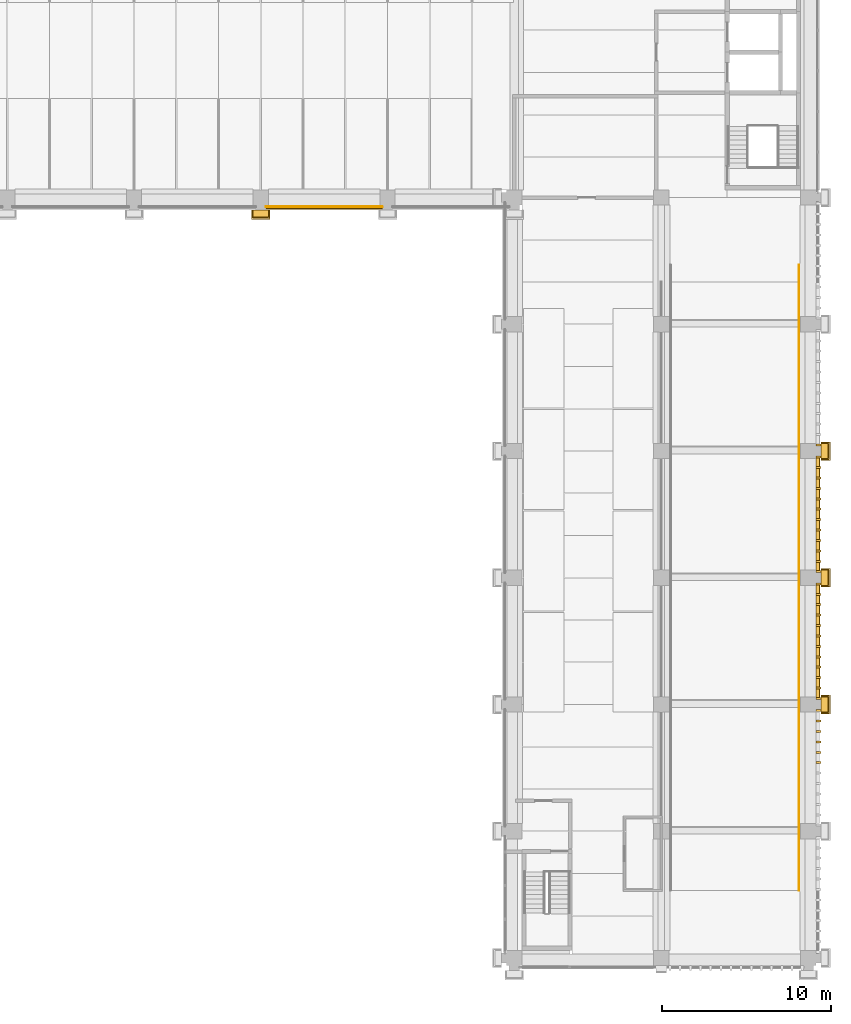
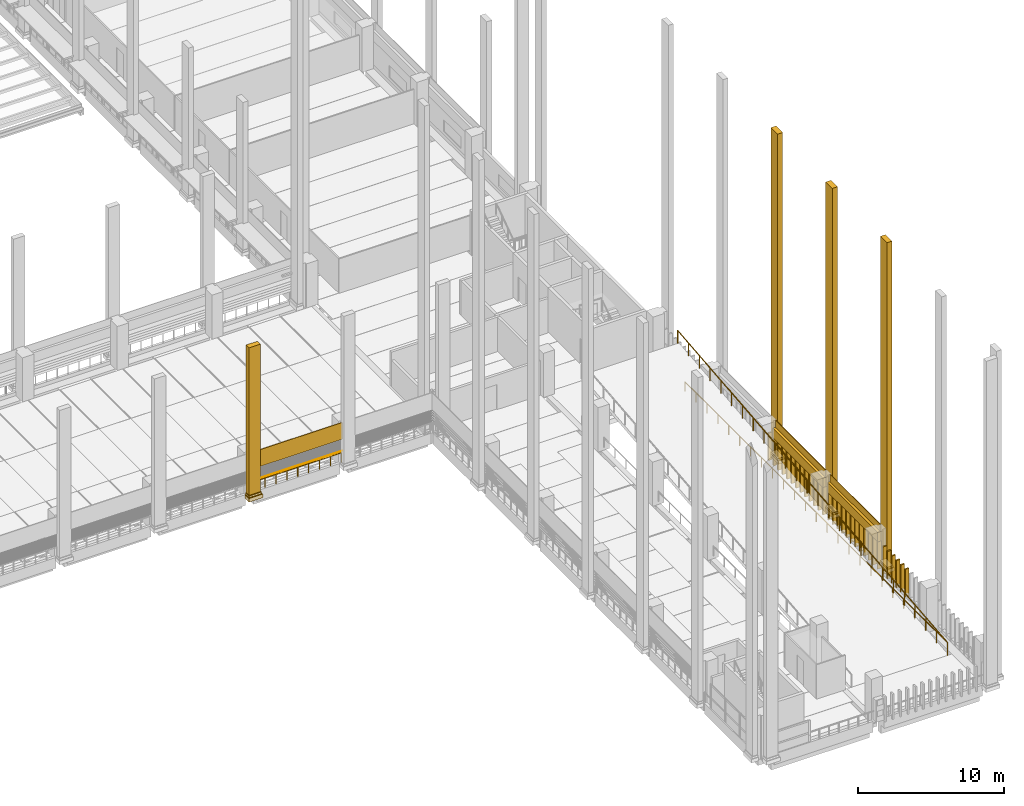
# One storey, part 58 of 67: 46 coverings, 3 railings, 1 shading device.
"""IFC4 building model written with IfcOpenShell, lengths in metres."""

import ifcopenshell
import ifcopenshell.guid

model = None  # the IFC model being written
_history = None  # IfcOwnerHistory: only IFC2X3 demands one
_inside = {}  # id of a spatial element -> (the spatial element, [elements in it])
_under = {}  # id of a project, library or spatial element -> (it, [spatial elements below it])
_declared = {}  # id of a project -> (the project, [libraries it declares])
_typed = {}  # id of a type object -> (the type object, [elements of that type])
_made_of = {}  # id of a material, layer set ... -> (it, [elements and type objects made of it])


def new_model(schema):
    """Start an empty IFC model of exactly this schema.

    Asked for "IFC4X3", IfcOpenShell would pick the latest addendum, in which some entities
    have other attributes; the version numbers below select the first issue.
    IFC2X3 requires an IfcOwnerHistory on every rooted entity: one is made here for all.
    """
    global model, _history
    if schema == "IFC4X3":
        model = ifcopenshell.file(schema_version=(4, 3, 0, 0))
    else:
        model = ifcopenshell.file(schema=schema)
    _inside.clear()
    _under.clear()
    _declared.clear()
    _typed.clear()
    _made_of.clear()
    _history = None
    if model.schema == "IFC2X3":
        org = make("IfcOrganization", Name="unknown")
        user = make(
            "IfcPersonAndOrganization",
            ThePerson=make("IfcPerson", FamilyName="unknown"),
            TheOrganization=org,
        )
        app = make(
            "IfcApplication",
            ApplicationDeveloper=org,
            Version="unknown",
            ApplicationFullName="unknown",
            ApplicationIdentifier="unknown",
        )
        _history = make(
            "IfcOwnerHistory",
            OwningUser=user,
            OwningApplication=app,
            ChangeAction="ADDED",
            CreationDate=0,
        )
    return model


def make(cls, **values):
    """One entity of the class cls with the attributes given. An attribute that is None is left unset."""
    return model.create_entity(
        cls, **{name: value for name, value in values.items() if value is not None}
    )


def rooted(cls, **values):
    """An entity with a GlobalId (a new one), such as an element, a storey or a relation."""
    return make(cls, GlobalId=ifcopenshell.guid.new(), OwnerHistory=_history, **values)


def si_unit(unit_type, name, prefix=None):
    """IfcSIUnit, for example si_unit("LENGTHUNIT", "METRE", prefix="MILLI")."""
    return make("IfcSIUnit", UnitType=unit_type, Prefix=prefix, Name=name)


def assignment(units):
    """IfcUnitAssignment: the units of a project."""
    return None if units is None else make("IfcUnitAssignment", Units=units)


def point(xyz):
    """IfcCartesianPoint."""
    return None if xyz is None else make("IfcCartesianPoint", Coordinates=xyz)


def direction(xyz):
    """IfcDirection."""
    return None if xyz is None else make("IfcDirection", DirectionRatios=xyz)


def frame(location, z_axis=None, x_axis=None):
    """IfcAxis2Placement3D, a coordinate frame: its origin and axes. An axis left out is left unset."""
    return make(
        "IfcAxis2Placement3D",
        Location=point(location),
        Axis=direction(z_axis),
        RefDirection=direction(x_axis),
    )


def frame_2d(location, x_axis=None):
    """IfcAxis2Placement2D, a coordinate frame in the plane: its origin and x axis."""
    return make(
        "IfcAxis2Placement2D", Location=point(location), RefDirection=direction(x_axis)
    )


def origin():
    """The frame at (0, 0, 0) with its axes left unset."""
    return frame((0.0, 0.0, 0.0))


def origin_2d():
    """The frame at (0, 0) in the plane with its x axis left unset."""
    return frame_2d((0.0, 0.0))


def place(relative_to, where):
    """IfcLocalPlacement: puts the frame where relative to a parent placement (None: the world)."""
    return make(
        "IfcLocalPlacement", PlacementRelTo=relative_to, RelativePlacement=where
    )


def context(
    kind, dimensions, precision=None, world=None, true_north=None, identifier=None
):
    """IfcGeometricRepresentationContext, for example the 3D "Model" context."""
    return make(
        "IfcGeometricRepresentationContext",
        ContextIdentifier=identifier,
        ContextType=kind,
        CoordinateSpaceDimension=dimensions,
        Precision=precision,
        WorldCoordinateSystem=world,
        TrueNorth=true_north,
    )


def subcontext(parent, identifier, kind, view, scale=None):
    """IfcGeometricRepresentationSubContext, for example "Body" below "Model"."""
    return make(
        "IfcGeometricRepresentationSubContext",
        ContextIdentifier=identifier,
        ContextType=kind,
        ParentContext=parent,
        TargetScale=scale,
        TargetView=view,
    )


def project(units=None, contexts=None):
    """IfcProject with its units and contexts."""
    return rooted(
        "IfcProject",
        Name="project",
        RepresentationContexts=contexts,
        UnitsInContext=assignment(units),
    )


def spatial(cls, under=None, at=None, **own):
    """A site, building, storey or space (cls), placed at a placement, below another one or the project."""
    s = rooted(cls, ObjectPlacement=at, **own)
    if under is not None:
        _under.setdefault(under.id(), (under, []))[1].append(s)
    return s


def polyline(points):
    """IfcPolyline through the points."""
    return make("IfcPolyline", Points=[point(p) for p in points])


def profile(cls, at=None, kind="AREA", **sizes):
    """A parametric profile (cls). Its sizes go by their IFC names, for example OverallWidth=200.0."""
    return make(cls, ProfileType=kind, Position=at, **sizes)


def circle(**sizes):
    """IfcCircleProfileDef."""
    return profile("IfcCircleProfileDef", **sizes)


def outline(outer, holes=None, kind="AREA"):
    """IfcArbitraryClosedProfileDef: a profile drawn as a closed curve; with holes, ...WithVoids."""
    if holes is None:
        return make("IfcArbitraryClosedProfileDef", ProfileType=kind, OuterCurve=outer)
    return make(
        "IfcArbitraryProfileDefWithVoids",
        ProfileType=kind,
        OuterCurve=outer,
        InnerCurves=holes,
    )


def extrude(swept, where, along, depth):
    """IfcExtrudedAreaSolid: the profile swept, set in the frame where, extruded along a direction by depth."""
    return make(
        "IfcExtrudedAreaSolid",
        SweptArea=swept,
        Position=where,
        ExtrudedDirection=direction(along),
        Depth=depth,
    )


def shape(context_of_items, identifier, shape_type, items):
    """IfcShapeRepresentation: the items that make up one representation, for example the "Body"."""
    return make(
        "IfcShapeRepresentation",
        ContextOfItems=context_of_items,
        RepresentationIdentifier=identifier,
        RepresentationType=shape_type,
        Items=items,
    )


def material(Name=None, Category=None):
    """IfcMaterial."""
    return make("IfcMaterial", Name=Name, Category=Category)


def layer(
    of_material, thickness, ventilated=None, Name=None, Category=None, Priority=None
):
    """IfcMaterialLayer: one layer of a wall or slab, of a material (None: an air gap)."""
    return make(
        "IfcMaterialLayer",
        Material=of_material,
        LayerThickness=thickness,
        IsVentilated=ventilated,
        Name=Name,
        Category=Category,
        Priority=Priority,
    )


def layer_set(layers, Name=None):
    """IfcMaterialLayerSet."""
    return make("IfcMaterialLayerSet", MaterialLayers=layers, LayerSetName=Name)


def made_of(thing, what):
    """Note that an element or type object is made of a material, layer set ...; save() writes the relation."""
    if what is not None:
        _made_of.setdefault(what.id(), (what, []))[1].append(thing)
    return thing


def type_object(cls, material=None, **own):
    """A type object (cls), such as IfcWallType, which elements share."""
    return made_of(rooted(cls, **own), material)


def element(
    cls,
    number,
    at=None,
    inside=None,
    cuts=None,
    type_object=None,
    material=None,
    context=None,
    identifier="Body",
    shape_type=None,
    held_by="IfcProductDefinitionShape",
    body=None,
    shapes=None,
    **own,
):
    """One element of the class cls, such as IfcWall. Its Tag is "e" and its number.

    at: its placement. inside: the storey or other place that contains it. cuts: it is an
    opening in that element (IfcRelVoidsElement). A single representation is given by context,
    identifier, shape_type and body (its items); several are given by shapes. held_by: the class
    of the entity that holds the representations. save() writes the other relations.
    """
    e = rooted(cls, Tag="e%d" % number, ObjectPlacement=at, **own)
    if body is not None:
        shapes = [shape(context, identifier, shape_type, body)]
    if shapes is not None:
        e.Representation = make(held_by, Representations=shapes)
    if inside is not None:
        _inside.setdefault(inside.id(), (inside, []))[1].append(e)
    if cuts is not None:
        rooted(
            "IfcRelVoidsElement", RelatingBuildingElement=cuts, RelatedOpeningElement=e
        )
    if type_object is not None:
        _typed.setdefault(type_object.id(), (type_object, []))[1].append(e)
    return made_of(e, material)


def aggregate(whole, parts):
    """IfcRelAggregates: a whole, such as a stair, and the parts it consists of."""
    return rooted("IfcRelAggregates", RelatingObject=whole, RelatedObjects=parts)


def save(model, path):
    """Write the relations noted so far, then the file.

    IfcRelAggregates (storeys below a building ...), IfcRelContainedInSpatialStructure (elements
    in a storey), IfcRelDefinesByType, IfcRelAssociatesMaterial and IfcRelDeclares: one each for
    every whole, place, type object, material and project.
    """
    for whole, parts in _under.values():
        aggregate(whole, parts)
    for where, things in _inside.values():
        rooted(
            "IfcRelContainedInSpatialStructure",
            RelatedElements=things,
            RelatingStructure=where,
        )
    for kind, things in _typed.values():
        rooted("IfcRelDefinesByType", RelatedObjects=things, RelatingType=kind)
    for what, things in _made_of.values():
        rooted("IfcRelAssociatesMaterial", RelatedObjects=things, RelatingMaterial=what)
    for by, libraries in _declared.values():
        rooted("IfcRelDeclares", RelatingContext=by, RelatedDefinitions=libraries)
    model.write(path)


model = new_model("IFC4")

# Units and contexts
model_context = context("Model", 3, precision=1e-05, world=origin(), true_north=direction((0.0, 1.0)))
body_context = subcontext(model_context, "Body", "Model", "MODEL_VIEW")
ifc_project = project(units=[si_unit("LENGTHUNIT", "METRE"), si_unit("AREAUNIT", "SQUARE_METRE"), si_unit("VOLUMEUNIT", "CUBIC_METRE"), si_unit("PLANEANGLEUNIT", "RADIAN"), si_unit("MASSUNIT", "GRAM", prefix="KILO")], contexts=[model_context])

# Site, building, storey
site_placement = place(None, origin())
site = spatial("IfcSite", under=ifc_project, at=site_placement, CompositionType="ELEMENT")
building_placement = place(site_placement, origin())
building = spatial("IfcBuilding", under=site, at=building_placement, Name="Cour d'Honneur Mobility Palace", CompositionType="ELEMENT")
storey_placement = place(building_placement, frame((0.0, 0.0, 4.5)))
storey = spatial("IfcBuildingStorey", under=building, at=storey_placement, Name="L01", CompositionType="ELEMENT", Elevation=4.5)

# Railing
ifc_material_1 = material(Name="Painted steel", Category="steel")
railing_type_1 = type_object("IfcRailingType", Name="Balustrade", PredefinedType="BALUSTRADE", material=ifc_material_1)
railing_1_placement = place(storey_placement, frame((130.199951171875, 44.449951171875, 0.300048828125)))
element("IfcRailing", 1, at=railing_1_placement, inside=storey, type_object=railing_type_1, Name="Balustrade BAL-21", PredefinedType="BALUSTRADE", context=body_context, shape_type="SweptSolid", body=[
    extrude(circle(Radius=0.02392578125, at=origin_2d()), frame((0.0, 0.0, 0.77587890625), z_axis=(1.0, 0.0, 0.0), x_axis=(0.0, 1.0, 0.0)), (0.0, 0.0, 1.0), 6.900146484375),
    extrude(circle(Radius=0.02099609375, at=origin_2d()), origin(), (0.0, 0.0, 1.0), 0.751953125),
    extrude(circle(Radius=0.02099609375, at=origin_2d()), frame((0.862548828125, 0.0, 0.0)), (0.0, 0.0, 1.0), 0.751953125),
    extrude(circle(Radius=0.02099609375, at=origin_2d()), frame((1.72509765625, 0.0, 0.0)), (0.0, 0.0, 1.0), 0.751953125),
    extrude(circle(Radius=0.02099609375, at=origin_2d()), frame((2.587646484375, 0.0, 0.0)), (0.0, 0.0, 1.0), 0.751953125),
    extrude(circle(Radius=0.02099609375, at=origin_2d()), frame((3.4501953125, 0.0, 0.0)), (0.0, 0.0, 1.0), 0.751953125),
    extrude(circle(Radius=0.02099609375, at=origin_2d()), frame((4.3125, 0.0, 0.0)), (0.0, 0.0, 1.0), 0.751953125),
    extrude(circle(Radius=0.02099609375, at=origin_2d()), frame((5.175048828125, 0.0, 0.0)), (0.0, 0.0, 1.0), 0.751953125),
    extrude(circle(Radius=0.02099609375, at=origin_2d()), frame((6.03759765625, 0.0, 0.0)), (0.0, 0.0, 1.0), 0.751953125),
    extrude(circle(Radius=0.02099609375, at=origin_2d()), frame((6.900146484375, 0.0, 0.0)), (0.0, 0.0, 1.0), 0.751953125),
])

# Coverings
ifc_material_2 = material(Name="Cast limestone", Category="masonry")
ifc_layer_1 = layer(ifc_material_2, 0.14990234375)
ifc_layer_set_1 = layer_set([ifc_layer_1], Name="Cast limestone")
covering_type_1 = type_object("IfcCoveringType", Name="Pilaster base", PredefinedType="CLADDING", material=ifc_layer_set_1)
covering_1_placement = place(storey_placement, frame((0.0, 0.0, 0.10009765625)))
element("IfcCovering", 2, at=covering_1_placement, inside=storey, type_object=covering_type_1, Name="Pilaster base PB-49", PredefinedType="CLADDING", context=body_context, shape_type="SweptSolid", body=[
    extrude(outline(polyline([(129.35009765625, 44.25), (130.449951171875, 44.25), (130.449951171875, 43.699951171875), (129.35009765625, 43.699951171875), (129.35009765625, 44.25)])), origin(), (0.0, 0.0, 1.0), 0.2998046875),
])
covering_2_placement = place(storey_placement, frame((0.0, 0.0, 0.39990234375)))
element("IfcCovering", 3, at=covering_2_placement, inside=storey, type_object=covering_type_1, Name="Pilaster base PB-50", PredefinedType="CLADDING", context=body_context, shape_type="SweptSolid", body=[
    extrude(outline(polyline([(129.39990234375, 44.25), (130.39990234375, 44.25), (130.39990234375, 43.780029296875), (129.39990234375, 43.780029296875), (129.39990234375, 44.25)])), origin(), (0.0, 0.0, 1.0), 0.150146484375),
])
covering_3_placement = place(storey_placement, frame((0.0, 0.0, 0.10009765625)))
element("IfcCovering", 4, at=covering_3_placement, inside=storey, type_object=covering_type_1, Name="Pilaster base PB-77", PredefinedType="CLADDING", context=body_context, shape_type="SweptSolid", body=[
    extrude(outline(polyline([(163.050048828125, 14.449951171875), (163.050048828125, 15.550048828125), (163.60009765625, 15.550048828125), (163.60009765625, 14.449951171875), (163.050048828125, 14.449951171875)])), origin(), (0.0, 0.0, 1.0), 0.2998046875),
])
covering_4_placement = place(storey_placement, frame((0.0, 0.0, 0.39990234375)))
element("IfcCovering", 5, at=covering_4_placement, inside=storey, type_object=covering_type_1, Name="Pilaster base PB-78", PredefinedType="CLADDING", context=body_context, shape_type="SweptSolid", body=[
    extrude(outline(polyline([(163.050048828125, 14.5), (163.050048828125, 15.5), (163.52001953125, 15.5), (163.52001953125, 14.5), (163.050048828125, 14.5)])), origin(), (0.0, 0.0, 1.0), 0.150146484375),
])
covering_5_placement = place(storey_placement, frame((0.0, 0.0, 0.10009765625)))
element("IfcCovering", 6, at=covering_5_placement, inside=storey, type_object=covering_type_1, Name="Pilaster base PB-79", PredefinedType="CLADDING", context=body_context, shape_type="SweptSolid", body=[
    extrude(outline(polyline([(163.050048828125, 21.949951171875), (163.050048828125, 23.050048828125), (163.60009765625, 23.050048828125), (163.60009765625, 21.949951171875), (163.050048828125, 21.949951171875)])), origin(), (0.0, 0.0, 1.0), 0.2998046875),
])
covering_6_placement = place(storey_placement, frame((0.0, 0.0, 0.39990234375)))
element("IfcCovering", 7, at=covering_6_placement, inside=storey, type_object=covering_type_1, Name="Pilaster base PB-80", PredefinedType="CLADDING", context=body_context, shape_type="SweptSolid", body=[
    extrude(outline(polyline([(163.050048828125, 22.0), (163.050048828125, 23.0), (163.52001953125, 23.0), (163.52001953125, 22.0), (163.050048828125, 22.0)])), origin(), (0.0, 0.0, 1.0), 0.150146484375),
])
covering_7_placement = place(storey_placement, frame((0.0, 0.0, 0.10009765625)))
element("IfcCovering", 8, at=covering_7_placement, inside=storey, type_object=covering_type_1, Name="Pilaster base PB-81", PredefinedType="CLADDING", context=body_context, shape_type="SweptSolid", body=[
    extrude(outline(polyline([(163.050048828125, 29.449951171875), (163.050048828125, 30.550048828125), (163.60009765625, 30.550048828125), (163.60009765625, 29.449951171875), (163.050048828125, 29.449951171875)])), origin(), (0.0, 0.0, 1.0), 0.2998046875),
])
covering_8_placement = place(storey_placement, frame((0.0, 0.0, 0.39990234375)))
element("IfcCovering", 9, at=covering_8_placement, inside=storey, type_object=covering_type_1, Name="Pilaster base PB-82", PredefinedType="CLADDING", context=body_context, shape_type="SweptSolid", body=[
    extrude(outline(polyline([(163.050048828125, 29.5), (163.050048828125, 30.5), (163.52001953125, 30.5), (163.52001953125, 29.5), (163.050048828125, 29.5)])), origin(), (0.0, 0.0, 1.0), 0.150146484375),
])
ifc_material_3 = material(Name="Cast limestone", Category="masonry")
ifc_layer_2 = layer(ifc_material_3, 0.39990234375)
ifc_layer_set_2 = layer_set([ifc_layer_2], Name="Cast limestone")
covering_type_2 = type_object("IfcCoveringType", Name="Pilaster shaft", PredefinedType="CLADDING", material=ifc_layer_set_2)
covering_9_placement = place(storey_placement, frame((0.0, 0.0, 0.550048828125)))
element("IfcCovering", 10, at=covering_9_placement, inside=storey, type_object=covering_type_2, Name="Pilaster shaft PS-25", PredefinedType="CLADDING", context=body_context, shape_type="SweptSolid", body=[
    extrude(outline(polyline([(129.449951171875, 44.25), (130.35009765625, 44.25), (130.35009765625, 43.85009765625), (129.449951171875, 43.85009765625), (129.449951171875, 44.25)])), origin(), (0.0, 0.0, 1.0), 12.349853515625),
])
covering_10_placement = place(storey_placement, frame((0.0, 0.0, 0.550048828125)))
element("IfcCovering", 11, at=covering_10_placement, inside=storey, type_object=covering_type_2, Name="Pilaster shaft PS-39", PredefinedType="CLADDING", context=body_context, shape_type="SweptSolid", body=[
    extrude(outline(polyline([(163.050048828125, 14.550048828125), (163.050048828125, 15.449951171875), (163.449951171875, 15.449951171875), (163.449951171875, 14.550048828125), (163.050048828125, 14.550048828125)])), origin(), (0.0, 0.0, 1.0), 27.14990234375),
])
covering_11_placement = place(storey_placement, frame((0.0, 0.0, 0.550048828125)))
element("IfcCovering", 12, at=covering_11_placement, inside=storey, type_object=covering_type_2, Name="Pilaster shaft PS-40", PredefinedType="CLADDING", context=body_context, shape_type="SweptSolid", body=[
    extrude(outline(polyline([(163.050048828125, 22.050048828125), (163.050048828125, 22.949951171875), (163.449951171875, 22.949951171875), (163.449951171875, 22.050048828125), (163.050048828125, 22.050048828125)])), origin(), (0.0, 0.0, 1.0), 27.14990234375),
])
covering_12_placement = place(storey_placement, frame((0.0, 0.0, 0.550048828125)))
element("IfcCovering", 13, at=covering_12_placement, inside=storey, type_object=covering_type_2, Name="Pilaster shaft PS-41", PredefinedType="CLADDING", context=body_context, shape_type="SweptSolid", body=[
    extrude(outline(polyline([(163.050048828125, 29.550048828125), (163.050048828125, 30.449951171875), (163.449951171875, 30.449951171875), (163.449951171875, 29.550048828125), (163.050048828125, 29.550048828125)])), origin(), (0.0, 0.0, 1.0), 27.14990234375),
])

# Railing
ifc_material_4 = material(Name="Painted steel", Category="steel")
railing_type_2 = type_object("IfcRailingType", Name="Ramp guard 1100", PredefinedType="GUARDRAIL", material=ifc_material_4)
railing_2_placement = place(storey_placement, frame((161.75, 4.0, 0.0)))
element("IfcRailing", 14, at=railing_2_placement, inside=storey, type_object=railing_type_2, Name="Ramp guard Ramp East 2", PredefinedType="GUARDRAIL", context=body_context, shape_type="SweptSolid", body=[
    extrude(circle(Radius=0.02490234375, at=origin_2d()), frame((0.0, 0.0, 1.0751953125), z_axis=(0.0, 0.995037320222, 0.099502418892), x_axis=(-1.0, 0.0, 0.0)), (0.0, 0.0, 1.0), 37.1845703125),
    extrude(circle(Radius=0.02099609375, at=origin_2d()), origin(), (0.0, 0.0, 1.0), 1.050048828125),
    extrude(circle(Radius=0.02099609375, at=origin_2d()), frame((0.0, 1.47998046875, 0.14794921875)), (0.0, 0.0, 1.0), 1.050048828125),
    extrude(circle(Radius=0.02099609375, at=origin_2d()), frame((0.0, 2.9599609375, 0.2958984375)), (0.0, 0.0, 1.0), 1.050048828125),
    extrude(circle(Radius=0.02099609375, at=origin_2d()), frame((0.0, 4.43994140625, 0.444091796875)), (0.0, 0.0, 1.0), 1.050048828125),
    extrude(circle(Radius=0.02099609375, at=origin_2d()), frame((0.0, 5.919921875, 0.592041015625)), (0.0, 0.0, 1.0), 1.050048828125),
    extrude(circle(Radius=0.02099609375, at=origin_2d()), frame((0.0, 7.39990234375, 0.739990234375)), (0.0, 0.0, 1.0), 1.050048828125),
    extrude(circle(Radius=0.02099609375, at=origin_2d()), frame((0.0, 8.8798828125, 0.887939453125)), (0.0, 0.0, 1.0), 1.050048828125),
    extrude(circle(Radius=0.02099609375, at=origin_2d()), frame((0.0, 10.360107421875, 1.035888671875)), (0.0, 0.0, 1.0), 1.050048828125),
    extrude(circle(Radius=0.02099609375, at=origin_2d()), frame((0.0, 11.840087890625, 1.18408203125)), (0.0, 0.0, 1.0), 1.050048828125),
    extrude(circle(Radius=0.02099609375, at=origin_2d()), frame((0.0, 13.320068359375, 1.33203125)), (0.0, 0.0, 1.0), 1.050048828125),
    extrude(circle(Radius=0.02099609375, at=origin_2d()), frame((0.0, 14.800048828125, 1.47998046875)), (0.0, 0.0, 1.0), 1.050048828125),
    extrude(circle(Radius=0.02099609375, at=origin_2d()), frame((0.0, 16.280029296875, 1.6279296875)), (0.0, 0.0, 1.0), 1.050048828125),
    extrude(circle(Radius=0.02099609375, at=origin_2d()), frame((0.0, 17.760009765625, 1.77587890625)), (0.0, 0.0, 1.0), 1.050048828125),
    extrude(circle(Radius=0.02099609375, at=origin_2d()), frame((0.0, 19.239990234375, 1.924072265625)), (0.0, 0.0, 1.0), 1.050048828125),
    extrude(circle(Radius=0.02099609375, at=origin_2d()), frame((0.0, 20.719970703125, 2.072021484375)), (0.0, 0.0, 1.0), 1.050048828125),
    extrude(circle(Radius=0.02099609375, at=origin_2d()), frame((0.0, 22.199951171875, 2.219970703125)), (0.0, 0.0, 1.0), 1.050048828125),
    extrude(circle(Radius=0.02099609375, at=origin_2d()), frame((0.0, 23.679931640625, 2.367919921875)), (0.0, 0.0, 1.0), 1.050048828125),
    extrude(circle(Radius=0.02099609375, at=origin_2d()), frame((0.0, 25.159912109375, 2.515869140625)), (0.0, 0.0, 1.0), 1.050048828125),
    extrude(circle(Radius=0.02099609375, at=origin_2d()), frame((0.0, 26.639892578125, 2.6640625)), (0.0, 0.0, 1.0), 1.050048828125),
    extrude(circle(Radius=0.02099609375, at=origin_2d()), frame((0.0, 28.1201171875, 2.81201171875)), (0.0, 0.0, 1.0), 1.050048828125),
    extrude(circle(Radius=0.02099609375, at=origin_2d()), frame((0.0, 29.60009765625, 2.9599609375)), (0.0, 0.0, 1.0), 1.050048828125),
    extrude(circle(Radius=0.02099609375, at=origin_2d()), frame((0.0, 31.080078125, 3.10791015625)), (0.0, 0.0, 1.0), 1.050048828125),
    extrude(circle(Radius=0.02099609375, at=origin_2d()), frame((0.0, 32.56005859375, 3.255859375)), (0.0, 0.0, 1.0), 1.050048828125),
    extrude(circle(Radius=0.02099609375, at=origin_2d()), frame((0.0, 34.0400390625, 3.404052734375)), (0.0, 0.0, 1.0), 1.050048828125),
    extrude(circle(Radius=0.02099609375, at=origin_2d()), frame((0.0, 35.52001953125, 3.552001953125)), (0.0, 0.0, 1.0), 1.050048828125),
    extrude(circle(Radius=0.02099609375, at=origin_2d()), frame((0.0, 37.0, 3.699951171875)), (0.0, 0.0, 1.0), 1.050048828125),
])

# Coverings
ifc_material_5 = material(Name="Cast limestone", Category="masonry")
ifc_layer_3 = layer(ifc_material_5, 0.1201171875)
ifc_layer_set_3 = layer_set([ifc_layer_3], Name="Cast limestone")
covering_type_3 = type_object("IfcCoveringType", Name="Ramp screen fin", PredefinedType="CLADDING", material=ifc_layer_set_3)
covering_13_placement = place(storey_placement, origin())
element("IfcCovering", 15, at=covering_13_placement, inside=storey, type_object=covering_type_3, Name="Ramp screen fin E5.1 L01 7", PredefinedType="CLADDING", context=body_context, shape_type="SweptSolid", body=[
    extrude(outline(polyline([(162.75, 11.498291015625), (162.75, 11.6181640625), (163.050048828125, 11.6181640625), (163.050048828125, 11.498291015625), (162.75, 11.498291015625)])), origin(), (0.0, 0.0, 1.0), 2.300048828125),
])
covering_14_placement = place(storey_placement, origin())
element("IfcCovering", 16, at=covering_14_placement, inside=storey, type_object=covering_type_3, Name="Ramp screen fin E5.1 L01 8", PredefinedType="CLADDING", context=body_context, shape_type="SweptSolid", body=[
    extrude(outline(polyline([(162.75, 12.114501953125), (162.75, 12.234619140625), (163.050048828125, 12.234619140625), (163.050048828125, 12.114501953125), (162.75, 12.114501953125)])), origin(), (0.0, 0.0, 1.0), 2.300048828125),
])
covering_15_placement = place(storey_placement, origin())
element("IfcCovering", 17, at=covering_15_placement, inside=storey, type_object=covering_type_3, Name="Ramp screen fin E5.1 L01 9", PredefinedType="CLADDING", context=body_context, shape_type="SweptSolid", body=[
    extrude(outline(polyline([(162.75, 12.73095703125), (162.75, 12.850830078125), (163.050048828125, 12.850830078125), (163.050048828125, 12.73095703125), (162.75, 12.73095703125)])), origin(), (0.0, 0.0, 1.0), 2.300048828125),
])
covering_16_placement = place(storey_placement, origin())
element("IfcCovering", 18, at=covering_16_placement, inside=storey, type_object=covering_type_3, Name="Ramp screen fin E5.1 L01 10", PredefinedType="CLADDING", context=body_context, shape_type="SweptSolid", body=[
    extrude(outline(polyline([(162.75, 13.34716796875), (162.75, 13.46728515625), (163.050048828125, 13.46728515625), (163.050048828125, 13.34716796875), (162.75, 13.34716796875)])), origin(), (0.0, 0.0, 1.0), 2.300048828125),
])
covering_17_placement = place(storey_placement, origin())
element("IfcCovering", 19, at=covering_17_placement, inside=storey, type_object=covering_type_3, Name="Ramp screen fin E5.1 L01 11", PredefinedType="CLADDING", context=body_context, shape_type="SweptSolid", body=[
    extrude(outline(polyline([(162.75, 13.963623046875), (162.75, 14.083740234375), (163.050048828125, 14.083740234375), (163.050048828125, 13.963623046875), (162.75, 13.963623046875)])), origin(), (0.0, 0.0, 1.0), 2.300048828125),
])
covering_18_placement = place(storey_placement, origin())
element("IfcCovering", 20, at=covering_18_placement, inside=storey, type_object=covering_type_3, Name="Ramp screen fin E5.1 L01 12", PredefinedType="CLADDING", context=body_context, shape_type="SweptSolid", body=[
    extrude(outline(polyline([(162.75, 14.580078125), (162.75, 14.699951171875), (163.050048828125, 14.699951171875), (163.050048828125, 14.580078125), (162.75, 14.580078125)])), origin(), (0.0, 0.0, 1.0), 2.300048828125),
])
covering_19_placement = place(storey_placement, origin())
element("IfcCovering", 21, at=covering_19_placement, inside=storey, type_object=covering_type_3, Name="Ramp screen fin E5.2 L01 1", PredefinedType="CLADDING", context=body_context, shape_type="SweptSolid", body=[
    extrude(outline(polyline([(162.75, 15.300048828125), (162.75, 15.419921875), (163.050048828125, 15.419921875), (163.050048828125, 15.300048828125), (162.75, 15.300048828125)])), origin(), (0.0, 0.0, 1.0), 2.300048828125),
])
covering_20_placement = place(storey_placement, origin())
element("IfcCovering", 22, at=covering_20_placement, inside=storey, type_object=covering_type_3, Name="Ramp screen fin E5.2 L01 2", PredefinedType="CLADDING", context=body_context, shape_type="SweptSolid", body=[
    extrude(outline(polyline([(162.75, 15.916259765625), (162.75, 16.036376953125), (163.050048828125, 16.036376953125), (163.050048828125, 15.916259765625), (162.75, 15.916259765625)])), origin(), (0.0, 0.0, 1.0), 2.300048828125),
])
covering_21_placement = place(storey_placement, origin())
element("IfcCovering", 23, at=covering_21_placement, inside=storey, type_object=covering_type_3, Name="Ramp screen fin E5.2 L01 3", PredefinedType="CLADDING", context=body_context, shape_type="SweptSolid", body=[
    extrude(outline(polyline([(162.75, 16.53271484375), (162.75, 16.65283203125), (163.050048828125, 16.65283203125), (163.050048828125, 16.53271484375), (162.75, 16.53271484375)])), origin(), (0.0, 0.0, 1.0), 2.300048828125),
])
covering_22_placement = place(storey_placement, origin())
element("IfcCovering", 24, at=covering_22_placement, inside=storey, type_object=covering_type_3, Name="Ramp screen fin E5.2 L01 4", PredefinedType="CLADDING", context=body_context, shape_type="SweptSolid", body=[
    extrude(outline(polyline([(162.75, 17.149169921875), (162.75, 17.26904296875), (163.050048828125, 17.26904296875), (163.050048828125, 17.149169921875), (162.75, 17.149169921875)])), origin(), (0.0, 0.0, 1.0), 2.300048828125),
])
covering_23_placement = place(storey_placement, origin())
element("IfcCovering", 25, at=covering_23_placement, inside=storey, type_object=covering_type_3, Name="Ramp screen fin E5.2 L01 5", PredefinedType="CLADDING", context=body_context, shape_type="SweptSolid", body=[
    extrude(outline(polyline([(162.75, 17.765380859375), (162.75, 17.885498046875), (163.050048828125, 17.885498046875), (163.050048828125, 17.765380859375), (162.75, 17.765380859375)])), origin(), (0.0, 0.0, 1.0), 2.300048828125),
])
covering_24_placement = place(storey_placement, origin())
element("IfcCovering", 26, at=covering_24_placement, inside=storey, type_object=covering_type_3, Name="Ramp screen fin E5.2 L01 6", PredefinedType="CLADDING", context=body_context, shape_type="SweptSolid", body=[
    extrude(outline(polyline([(162.75, 18.3818359375), (162.75, 18.501708984375), (163.050048828125, 18.501708984375), (163.050048828125, 18.3818359375), (162.75, 18.3818359375)])), origin(), (0.0, 0.0, 1.0), 2.300048828125),
])
covering_25_placement = place(storey_placement, origin())
element("IfcCovering", 27, at=covering_25_placement, inside=storey, type_object=covering_type_3, Name="Ramp screen fin E5.2 L01 7", PredefinedType="CLADDING", context=body_context, shape_type="SweptSolid", body=[
    extrude(outline(polyline([(162.75, 18.998291015625), (162.75, 19.1181640625), (163.050048828125, 19.1181640625), (163.050048828125, 18.998291015625), (162.75, 18.998291015625)])), origin(), (0.0, 0.0, 1.0), 2.300048828125),
])
covering_26_placement = place(storey_placement, origin())
element("IfcCovering", 28, at=covering_26_placement, inside=storey, type_object=covering_type_3, Name="Ramp screen fin E5.2 L01 8", PredefinedType="CLADDING", context=body_context, shape_type="SweptSolid", body=[
    extrude(outline(polyline([(162.75, 19.614501953125), (162.75, 19.734619140625), (163.050048828125, 19.734619140625), (163.050048828125, 19.614501953125), (162.75, 19.614501953125)])), origin(), (0.0, 0.0, 1.0), 2.300048828125),
])
covering_27_placement = place(storey_placement, origin())
element("IfcCovering", 29, at=covering_27_placement, inside=storey, type_object=covering_type_3, Name="Ramp screen fin E5.2 L01 9", PredefinedType="CLADDING", context=body_context, shape_type="SweptSolid", body=[
    extrude(outline(polyline([(162.75, 20.23095703125), (162.75, 20.350830078125), (163.050048828125, 20.350830078125), (163.050048828125, 20.23095703125), (162.75, 20.23095703125)])), origin(), (0.0, 0.0, 1.0), 2.300048828125),
])
covering_28_placement = place(storey_placement, origin())
element("IfcCovering", 30, at=covering_28_placement, inside=storey, type_object=covering_type_3, Name="Ramp screen fin E5.2 L01 10", PredefinedType="CLADDING", context=body_context, shape_type="SweptSolid", body=[
    extrude(outline(polyline([(162.75, 20.84716796875), (162.75, 20.96728515625), (163.050048828125, 20.96728515625), (163.050048828125, 20.84716796875), (162.75, 20.84716796875)])), origin(), (0.0, 0.0, 1.0), 2.300048828125),
])
covering_29_placement = place(storey_placement, origin())
element("IfcCovering", 31, at=covering_29_placement, inside=storey, type_object=covering_type_3, Name="Ramp screen fin E5.2 L01 11", PredefinedType="CLADDING", context=body_context, shape_type="SweptSolid", body=[
    extrude(outline(polyline([(162.75, 21.463623046875), (162.75, 21.583740234375), (163.050048828125, 21.583740234375), (163.050048828125, 21.463623046875), (162.75, 21.463623046875)])), origin(), (0.0, 0.0, 1.0), 2.300048828125),
])
covering_30_placement = place(storey_placement, origin())
element("IfcCovering", 32, at=covering_30_placement, inside=storey, type_object=covering_type_3, Name="Ramp screen fin E5.2 L01 12", PredefinedType="CLADDING", context=body_context, shape_type="SweptSolid", body=[
    extrude(outline(polyline([(162.75, 22.080078125), (162.75, 22.199951171875), (163.050048828125, 22.199951171875), (163.050048828125, 22.080078125), (162.75, 22.080078125)])), origin(), (0.0, 0.0, 1.0), 2.300048828125),
])
covering_31_placement = place(storey_placement, origin())
element("IfcCovering", 33, at=covering_31_placement, inside=storey, type_object=covering_type_3, Name="Ramp screen fin E5.3 L01 1", PredefinedType="CLADDING", context=body_context, shape_type="SweptSolid", body=[
    extrude(outline(polyline([(162.75, 22.800048828125), (162.75, 22.919921875), (163.050048828125, 22.919921875), (163.050048828125, 22.800048828125), (162.75, 22.800048828125)])), origin(), (0.0, 0.0, 1.0), 2.300048828125),
])
covering_32_placement = place(storey_placement, origin())
element("IfcCovering", 34, at=covering_32_placement, inside=storey, type_object=covering_type_3, Name="Ramp screen fin E5.3 L01 2", PredefinedType="CLADDING", context=body_context, shape_type="SweptSolid", body=[
    extrude(outline(polyline([(162.75, 23.416259765625), (162.75, 23.536376953125), (163.050048828125, 23.536376953125), (163.050048828125, 23.416259765625), (162.75, 23.416259765625)])), origin(), (0.0, 0.0, 1.0), 2.300048828125),
])
covering_33_placement = place(storey_placement, origin())
element("IfcCovering", 35, at=covering_33_placement, inside=storey, type_object=covering_type_3, Name="Ramp screen fin E5.3 L01 3", PredefinedType="CLADDING", context=body_context, shape_type="SweptSolid", body=[
    extrude(outline(polyline([(162.75, 24.03271484375), (162.75, 24.15283203125), (163.050048828125, 24.15283203125), (163.050048828125, 24.03271484375), (162.75, 24.03271484375)])), origin(), (0.0, 0.0, 1.0), 2.300048828125),
])
covering_34_placement = place(storey_placement, origin())
element("IfcCovering", 36, at=covering_34_placement, inside=storey, type_object=covering_type_3, Name="Ramp screen fin E5.3 L01 4", PredefinedType="CLADDING", context=body_context, shape_type="SweptSolid", body=[
    extrude(outline(polyline([(162.75, 24.649169921875), (162.75, 24.76904296875), (163.050048828125, 24.76904296875), (163.050048828125, 24.649169921875), (162.75, 24.649169921875)])), origin(), (0.0, 0.0, 1.0), 2.300048828125),
])
covering_35_placement = place(storey_placement, origin())
element("IfcCovering", 37, at=covering_35_placement, inside=storey, type_object=covering_type_3, Name="Ramp screen fin E5.3 L01 5", PredefinedType="CLADDING", context=body_context, shape_type="SweptSolid", body=[
    extrude(outline(polyline([(162.75, 25.265380859375), (162.75, 25.385498046875), (163.050048828125, 25.385498046875), (163.050048828125, 25.265380859375), (162.75, 25.265380859375)])), origin(), (0.0, 0.0, 1.0), 2.300048828125),
])
covering_36_placement = place(storey_placement, origin())
element("IfcCovering", 38, at=covering_36_placement, inside=storey, type_object=covering_type_3, Name="Ramp screen fin E5.3 L01 6", PredefinedType="CLADDING", context=body_context, shape_type="SweptSolid", body=[
    extrude(outline(polyline([(162.75, 25.8818359375), (162.75, 26.001708984375), (163.050048828125, 26.001708984375), (163.050048828125, 25.8818359375), (162.75, 25.8818359375)])), origin(), (0.0, 0.0, 1.0), 2.300048828125),
])
covering_37_placement = place(storey_placement, origin())
element("IfcCovering", 39, at=covering_37_placement, inside=storey, type_object=covering_type_3, Name="Ramp screen fin E5.3 L01 7", PredefinedType="CLADDING", context=body_context, shape_type="SweptSolid", body=[
    extrude(outline(polyline([(162.75, 26.498291015625), (162.75, 26.6181640625), (163.050048828125, 26.6181640625), (163.050048828125, 26.498291015625), (162.75, 26.498291015625)])), origin(), (0.0, 0.0, 1.0), 2.300048828125),
])
covering_38_placement = place(storey_placement, origin())
element("IfcCovering", 40, at=covering_38_placement, inside=storey, type_object=covering_type_3, Name="Ramp screen fin E5.3 L01 8", PredefinedType="CLADDING", context=body_context, shape_type="SweptSolid", body=[
    extrude(outline(polyline([(162.75, 27.114501953125), (162.75, 27.234619140625), (163.050048828125, 27.234619140625), (163.050048828125, 27.114501953125), (162.75, 27.114501953125)])), origin(), (0.0, 0.0, 1.0), 2.300048828125),
])
covering_39_placement = place(storey_placement, origin())
element("IfcCovering", 41, at=covering_39_placement, inside=storey, type_object=covering_type_3, Name="Ramp screen fin E5.3 L01 9", PredefinedType="CLADDING", context=body_context, shape_type="SweptSolid", body=[
    extrude(outline(polyline([(162.75, 27.73095703125), (162.75, 27.850830078125), (163.050048828125, 27.850830078125), (163.050048828125, 27.73095703125), (162.75, 27.73095703125)])), origin(), (0.0, 0.0, 1.0), 2.300048828125),
])
covering_40_placement = place(storey_placement, origin())
element("IfcCovering", 42, at=covering_40_placement, inside=storey, type_object=covering_type_3, Name="Ramp screen fin E5.3 L01 10", PredefinedType="CLADDING", context=body_context, shape_type="SweptSolid", body=[
    extrude(outline(polyline([(162.75, 28.34716796875), (162.75, 28.46728515625), (163.050048828125, 28.46728515625), (163.050048828125, 28.34716796875), (162.75, 28.34716796875)])), origin(), (0.0, 0.0, 1.0), 2.300048828125),
])
covering_41_placement = place(storey_placement, origin())
element("IfcCovering", 43, at=covering_41_placement, inside=storey, type_object=covering_type_3, Name="Ramp screen fin E5.3 L01 11", PredefinedType="CLADDING", context=body_context, shape_type="SweptSolid", body=[
    extrude(outline(polyline([(162.75, 28.963623046875), (162.75, 29.083740234375), (163.050048828125, 29.083740234375), (163.050048828125, 28.963623046875), (162.75, 28.963623046875)])), origin(), (0.0, 0.0, 1.0), 2.300048828125),
])
covering_42_placement = place(storey_placement, origin())
element("IfcCovering", 44, at=covering_42_placement, inside=storey, type_object=covering_type_3, Name="Ramp screen fin E5.3 L01 12", PredefinedType="CLADDING", context=body_context, shape_type="SweptSolid", body=[
    extrude(outline(polyline([(162.75, 29.580078125), (162.75, 29.699951171875), (163.050048828125, 29.699951171875), (163.050048828125, 29.580078125), (162.75, 29.580078125)])), origin(), (0.0, 0.0, 1.0), 2.300048828125),
])
covering_43_placement = place(storey_placement, origin())
element("IfcCovering", 45, at=covering_43_placement, inside=storey, type_object=covering_type_3, Name="Ramp screen fin E5.4 L01 1", PredefinedType="CLADDING", context=body_context, shape_type="SweptSolid", body=[
    extrude(outline(polyline([(162.75, 30.300048828125), (162.75, 30.419921875), (163.050048828125, 30.419921875), (163.050048828125, 30.300048828125), (162.75, 30.300048828125)])), origin(), (0.0, 0.0, 1.0), 2.300048828125),
])
ifc_material_6 = material(Name="Cast limestone", Category="masonry")
ifc_layer_4 = layer(ifc_material_6, 0.25)
ifc_layer_set_4 = layer_set([ifc_layer_4], Name="Cast limestone")
covering_type_4 = type_object("IfcCoveringType", Name="Spandrel cladding", PredefinedType="CLADDING", material=ifc_layer_set_4)
for number, where, z_axis, x_axis, name in (
    (46, (130.199951171875, 44.550048828125, 2.300048828125), (-1.0, 0.0, 0.0), (0.0, -1.0, 0.0), "Spandrel cladding SK-85"),
    (47, (162.75, 15.300048828125, 2.300048828125), (0.0, -1.0, 0.0), (1.0, 0.0, 0.0), "Spandrel cladding SK-92"),
    (48, (162.75, 22.800048828125, 2.300048828125), (0.0, -1.0, 0.0), (1.0, 0.0, 0.0), "Spandrel cladding SK-93"),
):
    element("IfcCovering", number, at=place(storey_placement, frame(where, z_axis=z_axis, x_axis=x_axis)), inside=storey, type_object=covering_type_4, Name=name, PredefinedType="CLADDING", context=body_context, shape_type="SweptSolid", body=[
        extrude(outline(polyline([(0.0, 0.0), (0.25, 0.0), (0.25, 1.39990234375), (0.199951171875, 1.39990234375), (0.199951171875, 0.800048828125), (0.0, 0.800048828125), (0.0, 0.0)])), origin(), (0.0, 0.0, -1.0), 6.89990234375),
    ])

# Shading device
ifc_material_7 = material(Name="Terracotta", Category="masonry")
ifc_layer_5 = layer(ifc_material_7, 0.02490234375)
ifc_layer_set_5 = layer_set([ifc_layer_5], Name="Terracotta")
shading_device_type = type_object("IfcShadingDeviceType", Name="Terracotta louvre blade", PredefinedType="JALOUSIE", material=ifc_layer_set_5)
shading_device_placement = place(storey_placement, frame((130.199951171875, 44.55615234375, 1.10009765625), z_axis=(0.0, 0.706699578995, 0.707513749017), x_axis=(1.0, 0.0, 0.0)))
element("IfcShadingDevice", 49, at=shading_device_placement, inside=storey, type_object=shading_device_type, Name="Louvre blade LV-1 S2.15 L01 1", PredefinedType="JALOUSIE", context=body_context, shape_type="SweptSolid", body=[
    extrude(outline(polyline([(0.0, 0.0), (6.900146484375, 0.0), (6.900146484375, -0.29986442442957895), (0.0, -0.29986442442957895), (0.0, 0.0)])), origin(), (0.0, 0.0, -1.0), 0.02490234375),
])

# Railing
ifc_material_8 = material(Name="Painted steel", Category="steel")
railing_type_3 = type_object("IfcRailingType", Name="Void edge guard 1100", PredefinedType="GUARDRAIL", material=ifc_material_8)
railing_3_placement = place(storey_placement, frame((161.75, 4.0, 0.300048828125)))
element("IfcRailing", 50, at=railing_3_placement, inside=storey, type_object=railing_type_3, Name="Void edge guard SE L01", PredefinedType="GUARDRAIL", context=body_context, shape_type="SweptSolid", body=[
    extrude(circle(Radius=0.02490234375, at=origin_2d()), frame((0.0, 0.0, 0.77490234375), z_axis=(0.0, 1.0, 0.0), x_axis=(-1.0, 0.0, 0.0)), (0.0, 0.0, 1.0), 36.0),
    extrude(circle(Radius=0.02099609375, at=origin_2d()), origin(), (0.0, 0.0, 1.0), 0.75),
    extrude(circle(Radius=0.02099609375, at=origin_2d()), frame((0.0, 1.5, 0.0)), (0.0, 0.0, 1.0), 0.75),
    extrude(circle(Radius=0.02099609375, at=origin_2d()), frame((0.0, 3.0, 0.0)), (0.0, 0.0, 1.0), 0.75),
    extrude(circle(Radius=0.02099609375, at=origin_2d()), frame((0.0, 4.5, 0.0)), (0.0, 0.0, 1.0), 0.75),
    extrude(circle(Radius=0.02099609375, at=origin_2d()), frame((0.0, 6.0, 0.0)), (0.0, 0.0, 1.0), 0.75),
    extrude(circle(Radius=0.02099609375, at=origin_2d()), frame((0.0, 7.5, 0.0)), (0.0, 0.0, 1.0), 0.75),
    extrude(circle(Radius=0.02099609375, at=origin_2d()), frame((0.0, 9.0, 0.0)), (0.0, 0.0, 1.0), 0.75),
    extrude(circle(Radius=0.02099609375, at=origin_2d()), frame((0.0, 10.5, 0.0)), (0.0, 0.0, 1.0), 0.75),
    extrude(circle(Radius=0.02099609375, at=origin_2d()), frame((0.0, 12.0, 0.0)), (0.0, 0.0, 1.0), 0.75),
    extrude(circle(Radius=0.02099609375, at=origin_2d()), frame((0.0, 13.5, 0.0)), (0.0, 0.0, 1.0), 0.75),
    extrude(circle(Radius=0.02099609375, at=origin_2d()), frame((0.0, 15.0, 0.0)), (0.0, 0.0, 1.0), 0.75),
    extrude(circle(Radius=0.02099609375, at=origin_2d()), frame((0.0, 16.5, 0.0)), (0.0, 0.0, 1.0), 0.75),
    extrude(circle(Radius=0.02099609375, at=origin_2d()), frame((0.0, 18.0, 0.0)), (0.0, 0.0, 1.0), 0.75),
    extrude(circle(Radius=0.02099609375, at=origin_2d()), frame((0.0, 19.5, 0.0)), (0.0, 0.0, 1.0), 0.75),
    extrude(circle(Radius=0.02099609375, at=origin_2d()), frame((0.0, 21.0, 0.0)), (0.0, 0.0, 1.0), 0.75),
    extrude(circle(Radius=0.02099609375, at=origin_2d()), frame((0.0, 22.5, 0.0)), (0.0, 0.0, 1.0), 0.75),
    extrude(circle(Radius=0.02099609375, at=origin_2d()), frame((0.0, 24.0, 0.0)), (0.0, 0.0, 1.0), 0.75),
    extrude(circle(Radius=0.02099609375, at=origin_2d()), frame((0.0, 25.5, 0.0)), (0.0, 0.0, 1.0), 0.75),
    extrude(circle(Radius=0.02099609375, at=origin_2d()), frame((0.0, 27.0, 0.0)), (0.0, 0.0, 1.0), 0.75),
    extrude(circle(Radius=0.02099609375, at=origin_2d()), frame((0.0, 28.5, 0.0)), (0.0, 0.0, 1.0), 0.75),
    extrude(circle(Radius=0.02099609375, at=origin_2d()), frame((0.0, 30.0, 0.0)), (0.0, 0.0, 1.0), 0.75),
    extrude(circle(Radius=0.02099609375, at=origin_2d()), frame((0.0, 31.5, 0.0)), (0.0, 0.0, 1.0), 0.75),
    extrude(circle(Radius=0.02099609375, at=origin_2d()), frame((0.0, 33.0, 0.0)), (0.0, 0.0, 1.0), 0.75),
    extrude(circle(Radius=0.02099609375, at=origin_2d()), frame((0.0, 34.5, 0.0)), (0.0, 0.0, 1.0), 0.75),
    extrude(circle(Radius=0.02099609375, at=origin_2d()), frame((0.0, 36.0, 0.0)), (0.0, 0.0, 1.0), 0.75),
])

save(model, "model.ifc")
